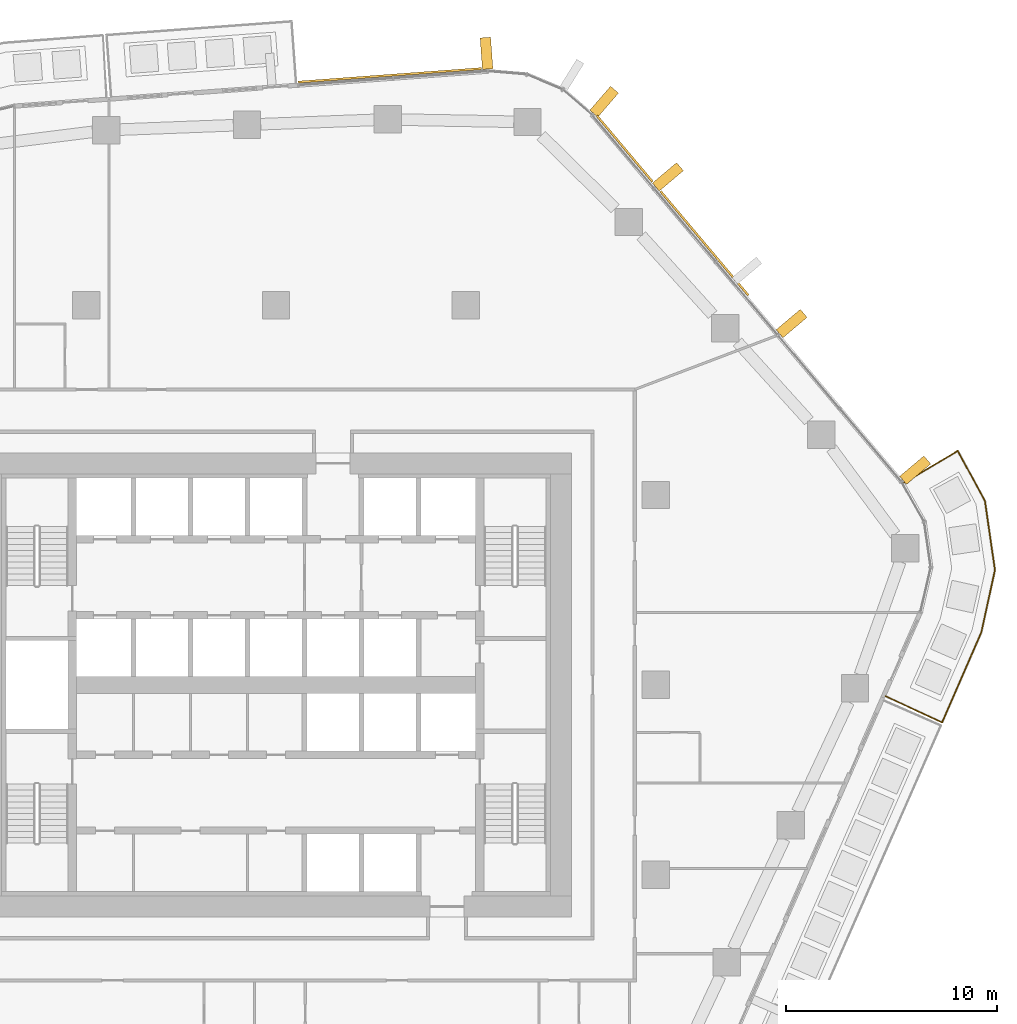
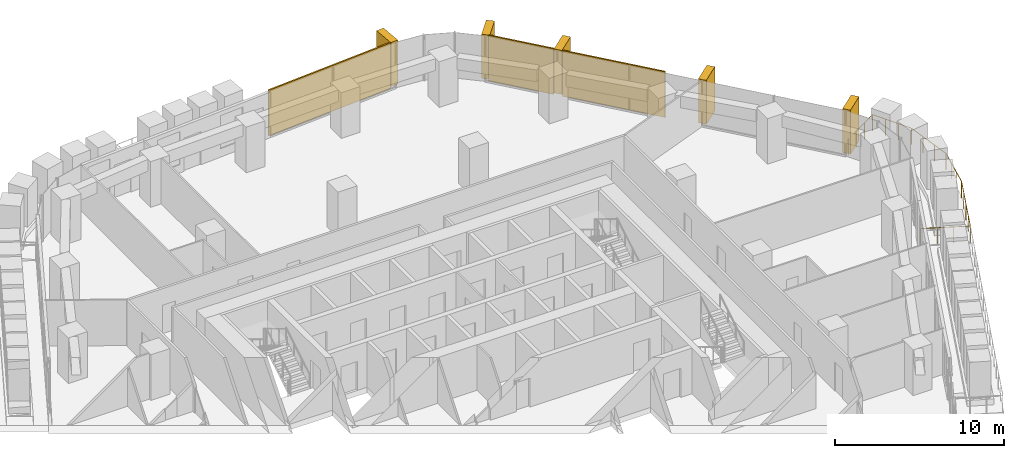
# One storey, part 23 of 23: 8 coverings, 1 railing, 3 elements without a shape of their own.
"""IFC4 building model written with IfcOpenShell, lengths in metres."""

from ifc_helpers import new_model, si_unit, direction, frame, origin, origin_2d, place, context, subcontext, project, spatial, rectangle, circle, extrude, material, layer, layer_set, material_profile, profile_set, type_object, element, aggregate, save


model = new_model("IFC4")

# Units and contexts
model_context = context("Model", 3, precision=1e-05, world=origin(), true_north=direction((0.0, 1.0)))
body_context = subcontext(model_context, "Body", "Model", "MODEL_VIEW")
ifc_project = project(units=[si_unit("LENGTHUNIT", "METRE"), si_unit("AREAUNIT", "SQUARE_METRE"), si_unit("VOLUMEUNIT", "CUBIC_METRE"), si_unit("PLANEANGLEUNIT", "RADIAN"), si_unit("MASSUNIT", "GRAM", prefix="KILO")], contexts=[model_context])

# Site, building, storey
site_placement = place(None, origin())
site = spatial("IfcSite", under=ifc_project, at=site_placement, CompositionType="ELEMENT")
building_placement = place(site_placement, origin())
building = spatial("IfcBuilding", under=site, at=building_placement, Name="Dongbaek Canopy Tower", CompositionType="ELEMENT")
storey_placement = place(building_placement, frame((0.0, 0.0, 135.89990234375)))
storey = spatial("IfcBuildingStorey", under=building, at=storey_placement, Name="L30", CompositionType="ELEMENT", Elevation=135.89990234375)

# Railing
ifc_material_1 = material(Name="Stainless steel", Category="steel")
railing_type = type_object("IfcRailingType", Name="Balcony balustrade 1200", PredefinedType="BALUSTRADE", material=ifc_material_1)
railing_placement = place(storey_placement, frame((28.8955078125, -0.53857421875, 0.0)))
element("IfcRailing", 1, at=railing_placement, inside=storey, type_object=railing_type, Name="Balcony guard L30 5", PredefinedType="BALUSTRADE", context=body_context, shape_type="SweptSolid", body=[
    extrude(circle(Radius=0.02392578125, at=origin_2d()), frame((0.0, 0.0, 1.17578125), z_axis=(0.907160676166, -0.420784395644, 0.0), x_axis=(0.420784395644, 0.907160676166, 0.0)), (0.0, 0.0, 1.0), 2.9404296875),
    extrude(circle(Radius=0.02392578125, at=origin_2d()), frame((2.66748046875, -1.2373046875, 1.17578125), z_axis=(0.399681748589, 0.916653969524, 0.0), x_axis=(-0.916653969524, 0.399681748589, 0.0)), (0.0, 0.0, 1.0), 4.641845703125),
    extrude(circle(Radius=0.02392578125, at=origin_2d()), frame((4.522705078125, 3.017578125, 1.17578125), z_axis=(0.214013832372, 0.976830629922, 0.0), x_axis=(-0.976830629922, 0.214013832372, 0.0)), (0.0, 0.0, 1.0), 3.0322265625),
    extrude(circle(Radius=0.02392578125, at=origin_2d()), frame((5.171630859375, 5.9794921875, 1.17578125), z_axis=(-0.142911676754, 0.989735445787, 0.0), x_axis=(-0.989735445787, -0.142911676754, 0.0)), (0.0, 0.0, 1.0), 3.30224609375),
    extrude(circle(Radius=0.02392578125, at=origin_2d()), frame((4.69970703125, 9.247802734375, 1.17578125), z_axis=(-0.476059650278, 0.879412991363, 0.0), x_axis=(-0.879412991363, -0.476059650278, 0.0)), (0.0, 0.0, 1.0), 2.709716796875),
    extrude(circle(Radius=0.02392578125, at=origin_2d()), frame((3.40966796875, 11.630859375, 1.17578125), z_axis=(-0.86011886379, -0.510093658217, 0.0), x_axis=(0.510093658217, -0.86011886379, 0.0)), (0.0, 0.0, 1.0), 2.940673828125),
    extrude(circle(Radius=0.02099609375, at=origin_2d()), origin(), (0.0, 0.0, 1.0), 1.15185546875),
    extrude(circle(Radius=0.02099609375, at=origin_2d()), frame((0.88916015625, -0.412353515625, 0.0)), (0.0, 0.0, 1.0), 1.15185546875),
    extrude(circle(Radius=0.02099609375, at=origin_2d()), frame((1.7783203125, -0.824951171875, 0.0)), (0.0, 0.0, 1.0), 1.15185546875),
    extrude(circle(Radius=0.02099609375, at=origin_2d()), frame((2.66748046875, -1.2373046875, 0.0)), (0.0, 0.0, 1.0), 1.15185546875),
    extrude(circle(Radius=0.02099609375, at=origin_2d()), frame((3.13134765625, -0.173583984375, 0.0)), (0.0, 0.0, 1.0), 1.15185546875),
    extrude(circle(Radius=0.02099609375, at=origin_2d()), frame((3.59521484375, 0.89013671875, 0.0)), (0.0, 0.0, 1.0), 1.15185546875),
    extrude(circle(Radius=0.02099609375, at=origin_2d()), frame((4.058837890625, 1.953857421875, 0.0)), (0.0, 0.0, 1.0), 1.15185546875),
    extrude(circle(Radius=0.02099609375, at=origin_2d()), frame((4.522705078125, 3.017578125, 0.0)), (0.0, 0.0, 1.0), 1.15185546875),
    extrude(circle(Radius=0.02099609375, at=origin_2d()), frame((4.739013671875, 4.0048828125, 0.0)), (0.0, 0.0, 1.0), 1.15185546875),
    extrude(circle(Radius=0.02099609375, at=origin_2d()), frame((4.955322265625, 4.9921875, 0.0)), (0.0, 0.0, 1.0), 1.15185546875),
    extrude(circle(Radius=0.02099609375, at=origin_2d()), frame((5.171630859375, 5.9794921875, 0.0)), (0.0, 0.0, 1.0), 1.15185546875),
    extrude(circle(Radius=0.02099609375, at=origin_2d()), frame((5.014404296875, 7.06884765625, 0.0)), (0.0, 0.0, 1.0), 1.15185546875),
    extrude(circle(Radius=0.02099609375, at=origin_2d()), frame((4.85693359375, 8.158447265625, 0.0)), (0.0, 0.0, 1.0), 1.15185546875),
    extrude(circle(Radius=0.02099609375, at=origin_2d()), frame((4.69970703125, 9.247802734375, 0.0)), (0.0, 0.0, 1.0), 1.15185546875),
    extrude(circle(Radius=0.02099609375, at=origin_2d()), frame((4.269775390625, 10.042236328125, 0.0)), (0.0, 0.0, 1.0), 1.15185546875),
    extrude(circle(Radius=0.02099609375, at=origin_2d()), frame((3.839599609375, 10.83642578125, 0.0)), (0.0, 0.0, 1.0), 1.15185546875),
    extrude(circle(Radius=0.02099609375, at=origin_2d()), frame((3.40966796875, 11.630859375, 0.0)), (0.0, 0.0, 1.0), 1.15185546875),
    extrude(circle(Radius=0.02099609375, at=origin_2d()), frame((2.566650390625, 11.130859375, 0.0)), (0.0, 0.0, 1.0), 1.15185546875),
    extrude(circle(Radius=0.02099609375, at=origin_2d()), frame((1.723388671875, 10.630859375, 0.0)), (0.0, 0.0, 1.0), 1.15185546875),
    extrude(circle(Radius=0.02099609375, at=origin_2d()), frame((0.88037109375, 10.130859375, 0.0)), (0.0, 0.0, 1.0), 1.15185546875),
])

# Curtain wall, coverings
ifc_material_2 = material(Name="Aluminium 6063-T6 pale anodised", Category="aluminium")
ifc_layer_1 = layer(ifc_material_2, 0.199951171875)
ifc_layer_set_1 = layer_set([ifc_layer_1], Name="CW-1 unitised tower curtain wall")
curtain_wall_type = type_object("IfcCurtainWallType", Name="CW-1 unitised tower curtain wall", PredefinedType="NOTDEFINED", material=ifc_layer_set_1)
curtain_wall_1_placement = place(storey_placement, origin())
curtain_wall_1 = element("IfcCurtainWall", 2, at=curtain_wall_1_placement, inside=storey, type_object=curtain_wall_type, Name="CW-1 curtain wall F0.1", PredefinedType="NOTDEFINED")
ifc_material_3 = material(Name="Perforated aluminium 6063-T6 pale metal screen", Category="aluminium")
ifc_layer_2 = layer(ifc_material_3, 0.10009765625)
ifc_layer_set_2 = layer_set([ifc_layer_2], Name="Facet screen FS1 100 pale metal")
covering_type_1 = type_object("IfcCoveringType", Name="Facet screen FS1 100 pale metal", PredefinedType="CLADDING", material=ifc_layer_set_2)
covering_1_placement = place(storey_placement, frame((20.30322265625, 20.92724609375, 0.0), z_axis=(0.0, 0.0, 1.0), x_axis=(-0.644696181183, 0.764438901396, 0.0)))
covering_1 = element("IfcCovering", 3, at=covering_1_placement, type_object=covering_type_1, Name="Facet screen L30 F0", PredefinedType="CLADDING", context=body_context, shape_type="SweptSolid", body=[
    extrude(rectangle(XDim=6.4638671875, YDim=0.10009765625, at=origin_2d()), origin(), (0.0, 0.0, 1.0), 3.300048828125),
])
covering_2_placement = place(storey_placement, frame((16.52685546875, 25.405029296875, 0.0), z_axis=(0.0, 0.0, 1.0), x_axis=(-0.644696181183, 0.764438901396, 0.0)))
covering_2 = element("IfcCovering", 4, at=covering_2_placement, type_object=covering_type_1, Name="Facet screen L30 F0", PredefinedType="CLADDING", context=body_context, shape_type="SweptSolid", body=[
    extrude(rectangle(XDim=4.091796875, YDim=0.10009765625, at=origin_2d()), origin(), (0.0, 0.0, 1.0), 3.300048828125),
])

# Curtain wall, covering
curtain_wall_2_placement = place(storey_placement, origin())
curtain_wall_2 = element("IfcCurtainWall", 5, at=curtain_wall_2_placement, inside=storey, type_object=curtain_wall_type, Name="CW-1 curtain wall F1.1", PredefinedType="NOTDEFINED")
covering_3_placement = place(storey_placement, frame((5.396240234375, 28.884765625, 0.0), z_axis=(0.0, 0.0, 1.0), x_axis=(-0.997293858063, -0.073518437616, 0.0)))
covering_3 = element("IfcCovering", 6, at=covering_3_placement, type_object=covering_type_1, Name="Facet screen L30 F1", PredefinedType="CLADDING", context=body_context, shape_type="SweptSolid", body=[
    extrude(rectangle(XDim=8.707763671875, YDim=0.10009765625, at=origin_2d()), origin(), (0.0, 0.0, 1.0), 3.300048828125),
])

# Covering
ifc_material_4 = material(Name="Aluminium 6063-T6 pale metal fin", Category="aluminium")
ifc_material_profile = material_profile(ifc_material_4, rectangle(XDim=1.5, YDim=0.5, at=origin_2d()), Name="Fin FN1 500 x 1500 pale metal")
ifc_profile_set = profile_set([ifc_material_profile], Name="Aluminium 6063-T6 pale metal fin")
covering_type_2 = type_object("IfcCoveringType", Name="Fin FN1 500 x 1500 pale metal", PredefinedType="CLADDING", material=ifc_profile_set)
covering_4_placement = place(storey_placement, frame((30.2890625, 10.1787109375, 0.1201171875), z_axis=(0.0, 0.0, 1.0), x_axis=(0.764439348936, 0.644695650519, 0.0)))
covering_4 = element("IfcCovering", 7, at=covering_4_placement, type_object=covering_type_2, Name="Fin F0.1.1", PredefinedType="CLADDING", context=body_context, shape_type="SweptSolid", body=[
    extrude(rectangle(XDim=1.5, YDim=0.5, at=origin_2d()), origin(), (0.0, 0.0, 1.0), 3.179931640625),
])

covering_5_placement = place(storey_placement, frame((24.432861328125, 17.12255859375, 0.1201171875), z_axis=(0.0, 0.0, 1.0), x_axis=(0.764439348936, 0.644695650519, 0.0)))
covering_5 = element("IfcCovering", 8, at=covering_5_placement, type_object=covering_type_2, Name="Fin F0.1.3", PredefinedType="CLADDING", context=body_context, shape_type="SweptSolid", body=[
    extrude(rectangle(XDim=1.5, YDim=0.5, at=origin_2d()), origin(), (0.0, 0.0, 1.0), 3.179931640625),
])

covering_6_placement = place(storey_placement, frame((18.57080078125, 24.073486328125, 0.1201171875), z_axis=(0.0, 0.0, 1.0), x_axis=(0.764439348936, 0.644695650519, 0.0)))
covering_6 = element("IfcCovering", 9, at=covering_6_placement, type_object=covering_type_2, Name="Fin F0.1.5", PredefinedType="CLADDING", context=body_context, shape_type="SweptSolid", body=[
    extrude(rectangle(XDim=1.5, YDim=0.5, at=origin_2d()), origin(), (0.0, 0.0, 1.0), 3.179931640625),
])

aggregate(curtain_wall_1, [covering_4, covering_5, covering_6, covering_1, covering_2])

# Curtain wall, covering
curtain_wall_3_placement = place(storey_placement, origin())
curtain_wall_3 = element("IfcCurtainWall", 10, at=curtain_wall_3_placement, inside=storey, type_object=curtain_wall_type, Name="CW-1 curtain wall K1.1", PredefinedType="NOTDEFINED")
covering_7_placement = place(storey_placement, frame((15.551025390625, 27.637939453125, 0.1201171875), z_axis=(0.0, 0.0, 1.0), x_axis=(0.654013971829, 0.756482468173, 0.0)))
covering_7 = element("IfcCovering", 11, at=covering_7_placement, type_object=covering_type_2, Name="Fin K1.1.1", PredefinedType="CLADDING", context=body_context, shape_type="SweptSolid", body=[
    extrude(rectangle(XDim=1.5, YDim=0.5, at=origin_2d()), origin(), (0.0, 0.0, 1.0), 3.179931640625),
])
aggregate(curtain_wall_3, [covering_7])

# Covering
covering_8_placement = place(storey_placement, frame((9.9755859375, 29.92822265625, 0.1201171875), z_axis=(0.0, 0.0, 1.0), x_axis=(-0.073519152761, 0.997293805344, 0.0)))
covering_8 = element("IfcCovering", 12, at=covering_8_placement, type_object=covering_type_2, Name="Fin F1.1.1", PredefinedType="CLADDING", context=body_context, shape_type="SweptSolid", body=[
    extrude(rectangle(XDim=1.5, YDim=0.5, at=origin_2d()), origin(), (0.0, 0.0, 1.0), 3.179931640625),
])

aggregate(curtain_wall_2, [covering_8, covering_3])

save(model, "model.ifc")
